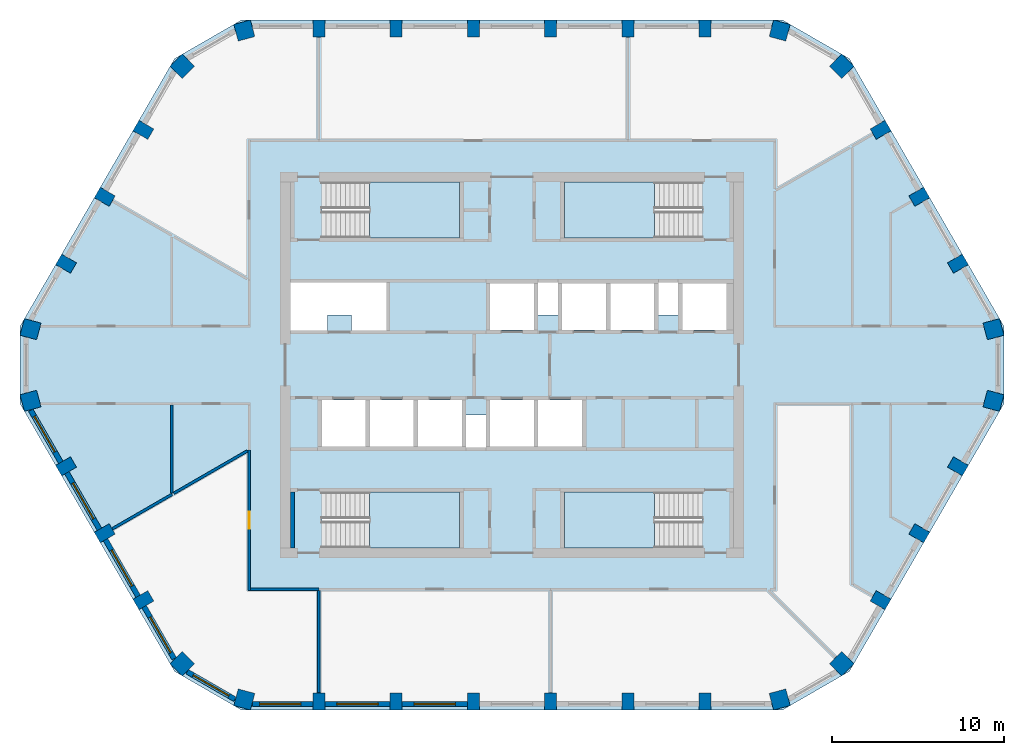
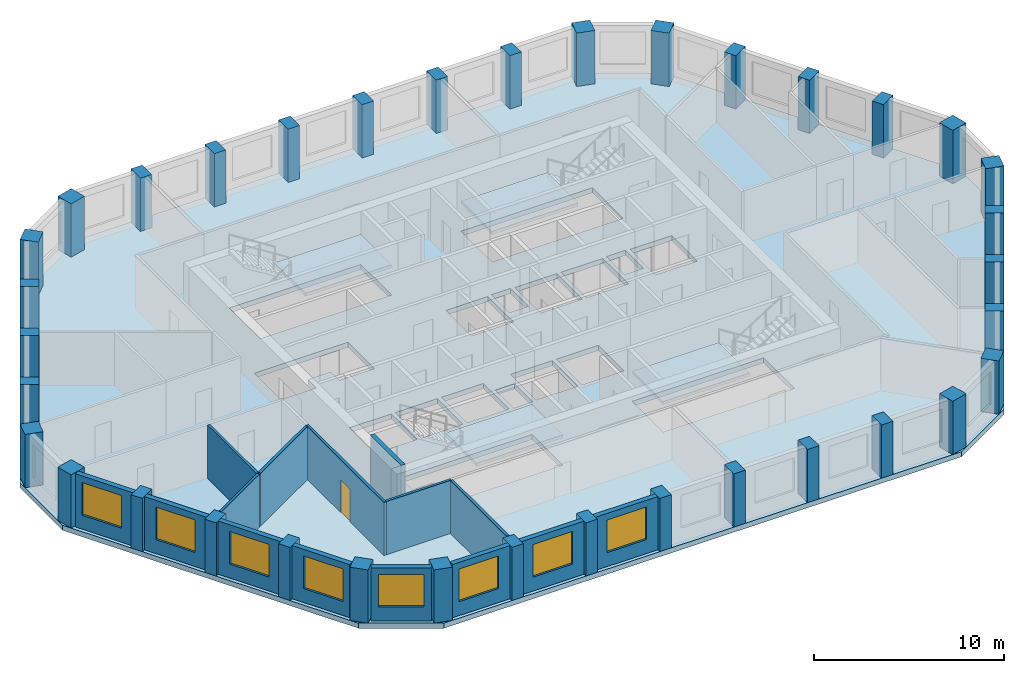
# One storey, part 1 of 11: 36 columns, 15 walls, 8 windows, 5 slabs, 1 door, 9 openings, 4 elements without a shape of their own.
"""IFC4 building model written with IfcOpenShell, lengths in metres."""

from ifc_helpers import new_model, si_unit, direction, frame, frame_2d, origin, origin_2d, place, context, subcontext, project, spatial, polyline, rectangle, outline, extrude, material, layer, layer_set, material_profile, profile_set, type_object, element, fill, aggregate, save


model = new_model("IFC4")

# Units and contexts
model_context = context("Model", 3, precision=1e-05, world=origin(), true_north=direction((0.0, 1.0)))
body_context = subcontext(model_context, "Body", "Model", "MODEL_VIEW")
ifc_project = project(units=[si_unit("LENGTHUNIT", "METRE"), si_unit("AREAUNIT", "SQUARE_METRE"), si_unit("VOLUMEUNIT", "CUBIC_METRE"), si_unit("PLANEANGLEUNIT", "RADIAN"), si_unit("MASSUNIT", "GRAM", prefix="KILO")], contexts=[model_context])

# Site, building, storey
site_placement = place(None, origin())
site = spatial("IfcSite", under=ifc_project, at=site_placement, CompositionType="ELEMENT")
building_placement = place(site_placement, origin())
building = spatial("IfcBuilding", under=site, at=building_placement, Name="Dhurran Vertical Campus", CompositionType="ELEMENT")
storey_placement = place(building_placement, frame((0.0, 0.0, 278.10009765625)))
storey = spatial("IfcBuildingStorey", under=building, at=storey_placement, Name="L69", CompositionType="ELEMENT", Elevation=278.10009765625)

# Columns
ifc_material_1 = material(Name="Concrete C50/60", Category="concrete")
ifc_material_profile_1 = material_profile(ifc_material_1, rectangle(XDim=1.0, YDim=1.0, at=origin_2d()), Name="RC 1000x1000")
ifc_profile_set_1 = profile_set([ifc_material_profile_1], Name="Concrete C50/60")
column_type_1 = type_object("IfcColumnType", Name="FR COL RC 1000x1000 C50/60", PredefinedType="COLUMN", material=ifc_profile_set_1)
for number, where, z_axis, x_axis, name in (
    (1, (-15.5859375, -19.47607421875, 0.0), (0.0, 0.0, 1.0), (0.965925826289, -0.258819045103, 0.0), "Perimeter pier PP5.00"),
    (2, (15.5859375, -19.47607421875, 0.0), (0.0, 0.0, 1.0), (0.965925826289, 0.258819045103, 0.0), "Perimeter pier PP5.07"),
    (3, (19.19873046875, -17.39013671875, 0.0), (0.0, 0.0, 1.0), (0.707106781187, 0.707106781187, 0.0), "Perimeter pier PP5.08"),
    (4, (28.03466796875, -2.0859375, 0.0), (0.0, 0.0, 1.0), (0.258819045103, 0.965925826289, 0.0), "Perimeter pier PP5.12"),
    (5, (28.03466796875, 2.0859375, 0.0), (0.0, 0.0, 1.0), (-0.258819045103, 0.965925826289, 0.0), "Perimeter pier PP5.13"),
    (6, (19.19873046875, 17.39013671875, 0.0), (0.0, 0.0, 1.0), (-0.707106781187, 0.707106781187, 0.0), "Perimeter pier PP5.17"),
    (7, (15.5859375, 19.47607421875, 0.0), (0.0, 0.0, 1.0), (-0.965925826289, 0.258819045103, 0.0), "Perimeter pier PP5.18"),
    (8, (-15.5859375, 19.47607421875, 0.0), (0.0, 0.0, 1.0), (-0.965925826289, -0.258819045103, 0.0), "Perimeter pier PP5.25"),
    (9, (-19.19873046875, 17.39013671875, 0.0), (0.0, 0.0, 1.0), (-0.707106781187, -0.707106781187, 0.0), "Perimeter pier PP5.26"),
    (10, (-28.03466796875, 2.0859375, 0.0), (0.0, 0.0, 1.0), (-0.258819045103, -0.965925826289, 0.0), "Perimeter pier PP5.30"),
    (11, (-28.03466796875, -2.0859375, 0.0), (0.0, 0.0, 1.0), (0.258819045103, -0.965925826289, 0.0), "Perimeter pier PP5.31"),
    (12, (-19.19873046875, -17.39013671875, 0.0), (0.0, 0.0, 1.0), (0.707106781187, -0.707106781187, 0.0), "Perimeter pier PP5.35"),
):
    element("IfcColumn", number, at=place(storey_placement, frame(where, z_axis=z_axis, x_axis=x_axis)), inside=storey, type_object=column_type_1, Name=name, PredefinedType="COLUMN", context=body_context, shape_type="SweptSolid", body=[
        extrude(rectangle(XDim=1.0, YDim=1.0, at=origin_2d()), origin(), (0.0, 0.0, 1.0), 3.4248046875),
    ])
ifc_material_2 = material(Name="Concrete C50/60", Category="concrete")
ifc_material_profile_2 = material_profile(ifc_material_2, rectangle(XDim=0.699951171875, YDim=1.0, at=origin_2d()), Name="RC 700x1000")
ifc_profile_set_2 = profile_set([ifc_material_profile_2], Name="Concrete C50/60")
column_type_2 = type_object("IfcColumnType", Name="FR COL RC 700x1000 C50/60", PredefinedType="COLUMN", material=ifc_profile_set_2)
for number, where, z_axis, x_axis, name in (
    (13, (-11.25, -19.58837890625, 0.0), (0.0, 0.0, 1.0), (1.0, 0.0, 0.0), "Perimeter pier PP5.01"),
    (14, (-6.75, -19.58837890625, 0.0), (0.0, 0.0, 1.0), (1.0, 0.0, 0.0), "Perimeter pier PP5.02"),
    (15, (-2.25, -19.58837890625, 0.0), (0.0, 0.0, 1.0), (1.0, 0.0, 0.0), "Perimeter pier PP5.03"),
    (16, (2.25, -19.58837890625, 0.0), (0.0, 0.0, 1.0), (1.0, 0.0, 0.0), "Perimeter pier PP5.04"),
    (17, (6.75, -19.58837890625, 0.0), (0.0, 0.0, 1.0), (1.0, 0.0, 0.0), "Perimeter pier PP5.05"),
    (18, (11.25, -19.58837890625, 0.0), (0.0, 0.0, 1.0), (1.0, 0.0, 0.0), "Perimeter pier PP5.06"),
    (19, (21.464111328125, -13.69140625, 0.0), (0.0, 0.0, 1.0), (0.5, 0.866025403784, 0.0), "Perimeter pier PP5.09"),
    (20, (23.714111328125, -9.794189453125, 0.0), (0.0, 0.0, 1.0), (0.5, 0.866025403784, 0.0), "Perimeter pier PP5.10"),
    (21, (25.964111328125, -5.897216796875, 0.0), (0.0, 0.0, 1.0), (0.5, 0.866025403784, 0.0), "Perimeter pier PP5.11"),
    (22, (25.964111328125, 5.897216796875, 0.0), (0.0, 0.0, 1.0), (-0.5, 0.866025403784, 0.0), "Perimeter pier PP5.14"),
    (23, (23.714111328125, 9.794189453125, 0.0), (0.0, 0.0, 1.0), (-0.5, 0.866025403784, 0.0), "Perimeter pier PP5.15"),
    (24, (21.464111328125, 13.69140625, 0.0), (0.0, 0.0, 1.0), (-0.5, 0.866025403784, 0.0), "Perimeter pier PP5.16"),
    (25, (11.25, 19.58837890625, 0.0), (0.0, 0.0, 1.0), (-1.0, 0.0, 0.0), "Perimeter pier PP5.19"),
    (26, (6.75, 19.58837890625, 0.0), (0.0, 0.0, 1.0), (-1.0, 0.0, 0.0), "Perimeter pier PP5.20"),
    (27, (2.25, 19.58837890625, 0.0), (0.0, 0.0, 1.0), (-1.0, 0.0, 0.0), "Perimeter pier PP5.21"),
    (28, (-2.25, 19.58837890625, 0.0), (0.0, 0.0, 1.0), (-1.0, 0.0, 0.0), "Perimeter pier PP5.22"),
    (29, (-6.75, 19.58837890625, 0.0), (0.0, 0.0, 1.0), (-1.0, 0.0, 0.0), "Perimeter pier PP5.23"),
    (30, (-11.25, 19.58837890625, 0.0), (0.0, 0.0, 1.0), (-1.0, 0.0, 0.0), "Perimeter pier PP5.24"),
    (31, (-21.464111328125, 13.69140625, 0.0), (0.0, 0.0, 1.0), (-0.5, -0.866025403784, 0.0), "Perimeter pier PP5.27"),
    (32, (-23.714111328125, 9.794189453125, 0.0), (0.0, 0.0, 1.0), (-0.5, -0.866025403784, 0.0), "Perimeter pier PP5.28"),
    (33, (-25.964111328125, 5.897216796875, 0.0), (0.0, 0.0, 1.0), (-0.5, -0.866025403784, 0.0), "Perimeter pier PP5.29"),
    (34, (-25.964111328125, -5.897216796875, 0.0), (0.0, 0.0, 1.0), (0.5, -0.866025403784, 0.0), "Perimeter pier PP5.32"),
    (35, (-23.714111328125, -9.794189453125, 0.0), (0.0, 0.0, 1.0), (0.5, -0.866025403784, 0.0), "Perimeter pier PP5.33"),
    (36, (-21.464111328125, -13.69140625, 0.0), (0.0, 0.0, 1.0), (0.5, -0.866025403784, 0.0), "Perimeter pier PP5.34"),
):
    element("IfcColumn", number, at=place(storey_placement, frame(where, z_axis=z_axis, x_axis=x_axis)), inside=storey, type_object=column_type_2, Name=name, PredefinedType="COLUMN", context=body_context, shape_type="SweptSolid", body=[
        extrude(rectangle(XDim=0.699951171875, YDim=1.0, at=origin_2d()), origin(), (0.0, 0.0, 1.0), 3.4248046875),
    ])

# Slab
ifc_material_3 = material(Name="Concrete C40/50", Category="concrete")
ifc_layer_1 = layer(ifc_material_3, 0.324951171875)
ifc_layer_set_1 = layer_set([ifc_layer_1], Name="Concrete C40/50")
slab_type_1 = type_object("IfcSlabType", Name="FR POST-TENSIONED FLAT SLAB 325", PredefinedType="FLOOR", material=ifc_layer_set_1)
slab_1_placement = place(storey_placement, frame((0.0, 0.0, -0.3251953125)))
element("IfcSlab", 37, at=slab_1_placement, inside=storey, type_object=slab_type_1, Name="Floor slab L69", PredefinedType="FLOOR", context=body_context, shape_type="SweptSolid", body=[
    extrude(outline(polyline([(-15.75, -20.08837890625), (15.75, -20.08837890625), (19.647216796875, -17.83837890625), (28.647216796875, -2.25), (28.647216796875, 2.25), (19.647216796875, 17.83837890625), (15.75, 20.08837890625), (-15.75, 20.08837890625), (-19.647216796875, 17.83837890625), (-28.647216796875, 2.25), (-28.647216796875, -2.25), (-19.647216796875, -17.83837890625), (-15.75, -20.08837890625)]), holes=[polyline([(-1.27490234375, 2.050048828125), (1.27490234375, 2.050048828125), (1.27490234375, 4.75), (-1.27490234375, 4.75), (-1.27490234375, 2.050048828125)]), polyline([(9.925048828125, 2.050048828125), (12.47509765625, 2.050048828125), (12.47509765625, 4.75), (9.925048828125, 4.75), (9.925048828125, 2.050048828125)]), polyline([(-1.27490234375, -4.75), (1.27490234375, -4.75), (1.27490234375, -2.050048828125), (-1.27490234375, -2.050048828125), (-1.27490234375, -4.75)]), polyline([(1.52490234375, -4.75), (4.074951171875, -4.75), (4.074951171875, -2.050048828125), (1.52490234375, -2.050048828125), (1.52490234375, -4.75)]), polyline([(2.925048828125, 2.050048828125), (5.47509765625, 2.050048828125), (5.47509765625, 4.75), (2.925048828125, 4.75), (2.925048828125, 2.050048828125)]), polyline([(5.72509765625, 2.050048828125), (8.27490234375, 2.050048828125), (8.27490234375, 4.75), (5.72509765625, 4.75), (5.72509765625, 2.050048828125)]), polyline([(-11.074951171875, -4.75), (-8.52490234375, -4.75), (-8.52490234375, -2.050048828125), (-11.074951171875, -2.050048828125), (-11.074951171875, -4.75)]), polyline([(-8.27490234375, -4.75), (-5.72509765625, -4.75), (-5.72509765625, -2.050048828125), (-8.27490234375, -2.050048828125), (-8.27490234375, -4.75)]), polyline([(-5.47509765625, -4.75), (-2.925048828125, -4.75), (-2.925048828125, -2.050048828125), (-5.47509765625, -2.050048828125), (-5.47509765625, -4.75)]), polyline([(-11.050048828125, 7.39990234375), (-3.050048828125, 7.39990234375), (-3.050048828125, 10.64990234375), (-11.050048828125, 10.64990234375), (-11.050048828125, 7.39990234375)]), polyline([(3.050048828125, 7.39990234375), (11.050048828125, 7.39990234375), (11.050048828125, 10.64990234375), (3.050048828125, 10.64990234375), (3.050048828125, 7.39990234375)]), polyline([(-11.050048828125, -10.64990234375), (-3.050048828125, -10.64990234375), (-3.050048828125, -7.39990234375), (-11.050048828125, -7.39990234375), (-11.050048828125, -10.64990234375)]), polyline([(3.050048828125, -10.64990234375), (11.050048828125, -10.64990234375), (11.050048828125, -7.39990234375), (3.050048828125, -7.39990234375), (3.050048828125, -10.64990234375)]), polyline([(-7.21240234375, 4.800048828125), (-7.21240234375, 2.0), (-9.356201171875, 2.0), (-9.356201171875, 2.89990234375), (-10.756103515625, 2.89990234375), (-10.756103515625, 2.0), (-12.89990234375, 2.0), (-12.89990234375, 4.800048828125), (-7.21240234375, 4.800048828125)]), polyline([(2.675048828125, 2.89990234375), (1.52490234375, 2.89990234375), (1.52490234375, 4.800048828125), (2.675048828125, 4.800048828125), (2.675048828125, 2.89990234375)]), polyline([(-2.675048828125, -2.89990234375), (-1.52490234375, -2.89990234375), (-1.52490234375, -4.800048828125), (-2.675048828125, -4.800048828125), (-2.675048828125, -2.89990234375)]), polyline([(9.675048828125, 2.89990234375), (8.52490234375, 2.89990234375), (8.52490234375, 4.800048828125), (9.675048828125, 4.800048828125), (9.675048828125, 2.89990234375)])]), origin(), (0.0, 0.0, 1.0), 0.3251953125),
])

# Stair, slab
ifc_material_4 = material(Name="Concrete C40/50", Category="concrete")
stair_type = type_object("IfcStairType", Name="co-ST-CORE", PredefinedType="HALF_TURN_STAIR", material=ifc_material_4)
stair_1_placement = place(storey_placement, origin())
stair_1 = element("IfcStair", 38, at=stair_1_placement, inside=storey, type_object=stair_type, Name="L69 Protected exit stair ST1", PredefinedType="HALF_TURN_STAIR")
ifc_material_5 = material(Name="Concrete C40/50", Category="concrete")
ifc_layer_2 = layer(ifc_material_5, 0.199951171875)
ifc_layer_set_2 = layer_set([ifc_layer_2], Name="Concrete C40/50")
slab_type_2 = type_object("IfcSlabType", Name="co-SL-LANDING", PredefinedType="LANDING", material=ifc_layer_set_2)
slab_2_placement = place(storey_placement, frame((0.0, 0.0, 1.75)))
slab_2 = element("IfcSlab", 39, at=slab_2_placement, type_object=slab_type_2, Name="ST1 landing 1", PredefinedType="LANDING", context=body_context, shape_type="SweptSolid", body=[
    extrude(outline(polyline([(-8.300048828125, 7.39990234375), (-3.050048828125, 7.39990234375), (-3.050048828125, 10.64990234375), (-8.300048828125, 10.64990234375), (-8.300048828125, 7.39990234375)])), origin(), (0.0, 0.0, 1.0), 0.199951171875),
])
aggregate(stair_1, [slab_2])

stair_2_placement = place(storey_placement, origin())
stair_2 = element("IfcStair", 40, at=stair_2_placement, inside=storey, type_object=stair_type, Name="L69 Protected exit stair ST2", PredefinedType="HALF_TURN_STAIR")
slab_3_placement = place(storey_placement, frame((0.0, 0.0, 1.75)))
slab_3 = element("IfcSlab", 41, at=slab_3_placement, type_object=slab_type_2, Name="ST2 landing 1", PredefinedType="LANDING", context=body_context, shape_type="SweptSolid", body=[
    extrude(outline(polyline([(8.300048828125, 10.64990234375), (3.050048828125, 10.64990234375), (3.050048828125, 7.39990234375), (8.300048828125, 7.39990234375), (8.300048828125, 10.64990234375)])), origin(), (0.0, 0.0, 1.0), 0.199951171875),
])
aggregate(stair_2, [slab_3])

stair_3_placement = place(storey_placement, origin())
stair_3 = element("IfcStair", 42, at=stair_3_placement, inside=storey, type_object=stair_type, Name="L69 Protected exit stair ST3", PredefinedType="HALF_TURN_STAIR")
slab_4_placement = place(storey_placement, frame((0.0, 0.0, 1.75)))
slab_4 = element("IfcSlab", 43, at=slab_4_placement, type_object=slab_type_2, Name="ST3 landing 1", PredefinedType="LANDING", context=body_context, shape_type="SweptSolid", body=[
    extrude(outline(polyline([(-8.300048828125, -10.64990234375), (-3.050048828125, -10.64990234375), (-3.050048828125, -7.39990234375), (-8.300048828125, -7.39990234375), (-8.300048828125, -10.64990234375)])), origin(), (0.0, 0.0, 1.0), 0.199951171875),
])
aggregate(stair_3, [slab_4])

stair_4_placement = place(storey_placement, origin())
stair_4 = element("IfcStair", 44, at=stair_4_placement, inside=storey, type_object=stair_type, Name="L69 Protected exit stair ST4", PredefinedType="HALF_TURN_STAIR")
slab_5_placement = place(storey_placement, frame((0.0, 0.0, 1.75)))
slab_5 = element("IfcSlab", 45, at=slab_5_placement, type_object=slab_type_2, Name="ST4 landing 1", PredefinedType="LANDING", context=body_context, shape_type="SweptSolid", body=[
    extrude(outline(polyline([(8.300048828125, -7.39990234375), (3.050048828125, -7.39990234375), (3.050048828125, -10.64990234375), (8.300048828125, -10.64990234375), (8.300048828125, -7.39990234375)])), origin(), (0.0, 0.0, 1.0), 0.199951171875),
])
aggregate(stair_4, [slab_5])

# Wall, opening, window
ifc_material_6 = material(Name="Precast concrete C50/60", Category="concrete")
ifc_layer_3 = layer(ifc_material_6, 0.300048828125)
ifc_layer_set_3 = layer_set([ifc_layer_3], Name="Precast concrete C50/60")
wall_type_1 = type_object("IfcWallType", Name="Precast spandrel wall 300", PredefinedType="SOLIDWALL", material=ifc_layer_set_3)
wall_1_placement = place(storey_placement, frame((-15.09814453125, -19.738525390625, 0.0), z_axis=(0.0, 0.0, 1.0), x_axis=(1.0, 0.0, 0.0)))
wall_1 = element("IfcWall", 46, at=wall_1_placement, inside=storey, type_object=wall_type_1, Name="EW1 L69.00", PredefinedType="SOLIDWALL", context=body_context, shape_type="SweptSolid", body=[
    extrude(rectangle(XDim=3.49755859375, YDim=0.300048828125, at=frame_2d((1.748779296875, 0.0))), origin(), (0.0, 0.0, 1.0), 3.4248046875),
])
opening_1_placement = place(wall_1_placement, frame((0.398193359375, 0.0, 0.89990234375)))
opening_1 = element("IfcOpeningElement", 47, at=opening_1_placement, cuts=wall_1, Name="Opening WT1", PredefinedType="OPENING", context=body_context, shape_type="SweptSolid", body=[
    extrude(rectangle(XDim=2.39990234375, YDim=2.10009765625, at=frame_2d((1.199951171875, 1.050048828125))), frame((0.0, 0.159912109375, 0.0), z_axis=(0.0, -1.0, 0.0), x_axis=(1.0, 0.0, 0.0)), (0.0, 0.0, 1.0), 0.320068359375),
])
ifc_material_7 = material(Name="Aluminium frame with solar-control glass", Category="aluminium")
window_type = type_object("IfcWindowType", Name="Punched window 2400 x 2100", PartitioningType="SINGLE_PANEL", PredefinedType="WINDOW", material=ifc_material_7)
window_1_placement = place(opening_1_placement, origin())
window_1 = element("IfcWindow", 48, at=window_1_placement, inside=storey, type_object=window_type, Name="WT1 L69.00", OverallHeight=2.10009765625, OverallWidth=2.39990234375, PartitioningType="SINGLE_PANEL", PredefinedType="WINDOW", context=body_context, shape_type="SweptSolid", body=[
    extrude(rectangle(XDim=2.39990234375, YDim=2.10009765625, at=frame_2d((1.199951171875, 1.050048828125))), frame((0.0, 0.030029296875, 0.0), z_axis=(0.0, -1.0, 0.0), x_axis=(1.0, 0.0, 0.0)), (0.0, 0.0, 1.0), 0.06005859375),
])
fill(opening_1, window_1)

wall_2_placement = place(storey_placement, frame((-10.8994140625, -19.738525390625, 0.0), z_axis=(0.0, 0.0, 1.0), x_axis=(1.0, 0.0, 0.0)))
wall_2 = element("IfcWall", 49, at=wall_2_placement, inside=storey, type_object=wall_type_1, Name="EW1 L69.01", PredefinedType="SOLIDWALL", context=body_context, shape_type="SweptSolid", body=[
    extrude(rectangle(XDim=3.798828125, YDim=0.300048828125, at=frame_2d((1.8994140625, 0.0))), origin(), (0.0, 0.0, 1.0), 3.4248046875),
])
opening_2_placement = place(wall_2_placement, frame((0.699462890625, 0.0, 0.89990234375)))
opening_2 = element("IfcOpeningElement", 50, at=opening_2_placement, cuts=wall_2, Name="Opening WT1", PredefinedType="OPENING", context=body_context, shape_type="SweptSolid", body=[
    extrude(rectangle(XDim=2.39990234375, YDim=2.10009765625, at=frame_2d((1.199951171875, 1.050048828125))), frame((0.0, 0.159912109375, 0.0), z_axis=(0.0, -1.0, 0.0), x_axis=(1.0, 0.0, 0.0)), (0.0, 0.0, 1.0), 0.320068359375),
])
window_2_placement = place(opening_2_placement, origin())
window_2 = element("IfcWindow", 51, at=window_2_placement, inside=storey, type_object=window_type, Name="WT1 L69.01", OverallHeight=2.10009765625, OverallWidth=2.39990234375, PartitioningType="SINGLE_PANEL", PredefinedType="WINDOW", context=body_context, shape_type="SweptSolid", body=[
    extrude(rectangle(XDim=2.39990234375, YDim=2.10009765625, at=frame_2d((1.199951171875, 1.050048828125))), frame((0.0, 0.030029296875, 0.0), z_axis=(0.0, -1.0, 0.0), x_axis=(1.0, 0.0, 0.0)), (0.0, 0.0, 1.0), 0.06005859375),
])
fill(opening_2, window_2)

wall_3_placement = place(storey_placement, frame((-6.3994140625, -19.738525390625, 0.0), z_axis=(0.0, 0.0, 1.0), x_axis=(1.0, 0.0, 0.0)))
wall_3 = element("IfcWall", 52, at=wall_3_placement, inside=storey, type_object=wall_type_1, Name="EW1 L69.02", PredefinedType="SOLIDWALL", context=body_context, shape_type="SweptSolid", body=[
    extrude(rectangle(XDim=3.798828125, YDim=0.300048828125, at=frame_2d((1.8994140625, 0.0))), origin(), (0.0, 0.0, 1.0), 3.4248046875),
])
opening_3_placement = place(wall_3_placement, frame((0.699462890625, 0.0, 0.89990234375)))
opening_3 = element("IfcOpeningElement", 53, at=opening_3_placement, cuts=wall_3, Name="Opening WT1", PredefinedType="OPENING", context=body_context, shape_type="SweptSolid", body=[
    extrude(rectangle(XDim=2.39990234375, YDim=2.10009765625, at=frame_2d((1.199951171875, 1.050048828125))), frame((0.0, 0.159912109375, 0.0), z_axis=(0.0, -1.0, 0.0), x_axis=(1.0, 0.0, 0.0)), (0.0, 0.0, 1.0), 0.320068359375),
])
window_3_placement = place(opening_3_placement, origin())
window_3 = element("IfcWindow", 54, at=window_3_placement, inside=storey, type_object=window_type, Name="WT1 L69.02", OverallHeight=2.10009765625, OverallWidth=2.39990234375, PartitioningType="SINGLE_PANEL", PredefinedType="WINDOW", context=body_context, shape_type="SweptSolid", body=[
    extrude(rectangle(XDim=2.39990234375, YDim=2.10009765625, at=frame_2d((1.199951171875, 1.050048828125))), frame((0.0, 0.030029296875, 0.0), z_axis=(0.0, -1.0, 0.0), x_axis=(1.0, 0.0, 0.0)), (0.0, 0.0, 1.0), 0.06005859375),
])
fill(opening_3, window_3)

wall_4_placement = place(storey_placement, frame((-28.01806640625, -2.6396484375, 0.0), z_axis=(0.0, 0.0, 1.0), x_axis=(0.499990325971, -0.866030989016, 0.0)))
wall_4 = element("IfcWall", 55, at=wall_4_placement, inside=storey, type_object=wall_type_1, Name="EW1 L69.31", PredefinedType="SOLIDWALL", context=body_context, shape_type="SweptSolid", body=[
    extrude(rectangle(XDim=3.49755859375, YDim=0.300048828125, at=frame_2d((1.748779296875, 0.0))), origin(), (0.0, 0.0, 1.0), 3.4248046875),
])
opening_4_placement = place(wall_4_placement, frame((0.398193359375, 0.0, 0.89990234375)))
opening_4 = element("IfcOpeningElement", 56, at=opening_4_placement, cuts=wall_4, Name="Opening WT1", PredefinedType="OPENING", context=body_context, shape_type="SweptSolid", body=[
    extrude(rectangle(XDim=2.39990234375, YDim=2.10009765625, at=frame_2d((1.199951171875, 1.050048828125))), frame((0.0, 0.159912109375, 0.0), z_axis=(0.0, -1.0, 0.0), x_axis=(1.0, 0.0, 0.0)), (0.0, 0.0, 1.0), 0.320068359375),
])
window_4_placement = place(opening_4_placement, origin())
window_4 = element("IfcWindow", 57, at=window_4_placement, inside=storey, type_object=window_type, Name="WT1 L69.31", OverallHeight=2.10009765625, OverallWidth=2.39990234375, PartitioningType="SINGLE_PANEL", PredefinedType="WINDOW", context=body_context, shape_type="SweptSolid", body=[
    extrude(rectangle(XDim=2.39990234375, YDim=2.10009765625, at=frame_2d((1.199951171875, 1.050048828125))), frame((0.0, 0.030029296875, 0.0), z_axis=(0.0, -1.0, 0.0), x_axis=(1.0, 0.0, 0.0)), (0.0, 0.0, 1.0), 0.06005859375),
])
fill(opening_4, window_4)

wall_5_placement = place(storey_placement, frame((-25.918701171875, -6.275634765625, 0.0), z_axis=(0.0, 0.0, 1.0), x_axis=(0.499982058975, -0.866035761792, 0.0)))
wall_5 = element("IfcWall", 58, at=wall_5_placement, inside=storey, type_object=wall_type_1, Name="EW1 L69.32", PredefinedType="SOLIDWALL", context=body_context, shape_type="SweptSolid", body=[
    extrude(rectangle(XDim=3.799072265625, YDim=0.300048828125, at=frame_2d((1.8994140625, 0.0))), origin(), (0.0, 0.0, 1.0), 3.4248046875),
])
opening_5_placement = place(wall_5_placement, frame((0.699462890625, 0.0, 0.89990234375)))
opening_5 = element("IfcOpeningElement", 59, at=opening_5_placement, cuts=wall_5, Name="Opening WT1", PredefinedType="OPENING", context=body_context, shape_type="SweptSolid", body=[
    extrude(rectangle(XDim=2.39990234375, YDim=2.10009765625, at=frame_2d((1.199951171875, 1.050048828125))), frame((0.0, 0.159912109375, 0.0), z_axis=(0.0, -1.0, 0.0), x_axis=(1.0, 0.0, 0.0)), (0.0, 0.0, 1.0), 0.320068359375),
])
window_5_placement = place(opening_5_placement, origin())
window_5 = element("IfcWindow", 60, at=window_5_placement, inside=storey, type_object=window_type, Name="WT1 L69.32", OverallHeight=2.10009765625, OverallWidth=2.39990234375, PartitioningType="SINGLE_PANEL", PredefinedType="WINDOW", context=body_context, shape_type="SweptSolid", body=[
    extrude(rectangle(XDim=2.39990234375, YDim=2.10009765625, at=frame_2d((1.199951171875, 1.050048828125))), frame((0.0, 0.030029296875, 0.0), z_axis=(0.0, -1.0, 0.0), x_axis=(1.0, 0.0, 0.0)), (0.0, 0.0, 1.0), 0.06005859375),
])
fill(opening_5, window_5)

wall_6_placement = place(storey_placement, frame((-23.668701171875, -10.1728515625, 0.0), z_axis=(0.0, 0.0, 1.0), x_axis=(0.499982058975, -0.866035761792, 0.0)))
wall_6 = element("IfcWall", 61, at=wall_6_placement, inside=storey, type_object=wall_type_1, Name="EW1 L69.33", PredefinedType="SOLIDWALL", context=body_context, shape_type="SweptSolid", body=[
    extrude(rectangle(XDim=3.799072265625, YDim=0.300048828125, at=frame_2d((1.8994140625, 0.0))), origin(), (0.0, 0.0, 1.0), 3.4248046875),
])
opening_6_placement = place(wall_6_placement, frame((0.699462890625, 0.0, 0.89990234375)))
opening_6 = element("IfcOpeningElement", 62, at=opening_6_placement, cuts=wall_6, Name="Opening WT1", PredefinedType="OPENING", context=body_context, shape_type="SweptSolid", body=[
    extrude(rectangle(XDim=2.39990234375, YDim=2.10009765625, at=frame_2d((1.199951171875, 1.050048828125))), frame((0.0, 0.159912109375, 0.0), z_axis=(0.0, -1.0, 0.0), x_axis=(1.0, 0.0, 0.0)), (0.0, 0.0, 1.0), 0.320068359375),
])
window_6_placement = place(opening_6_placement, origin())
window_6 = element("IfcWindow", 63, at=window_6_placement, inside=storey, type_object=window_type, Name="WT1 L69.33", OverallHeight=2.10009765625, OverallWidth=2.39990234375, PartitioningType="SINGLE_PANEL", PredefinedType="WINDOW", context=body_context, shape_type="SweptSolid", body=[
    extrude(rectangle(XDim=2.39990234375, YDim=2.10009765625, at=frame_2d((1.199951171875, 1.050048828125))), frame((0.0, 0.030029296875, 0.0), z_axis=(0.0, -1.0, 0.0), x_axis=(1.0, 0.0, 0.0)), (0.0, 0.0, 1.0), 0.06005859375),
])
fill(opening_6, window_6)

wall_7_placement = place(storey_placement, frame((-21.418701171875, -14.06982421875, 0.0), z_axis=(0.0, 0.0, 1.0), x_axis=(0.499960102815, -0.866048437209, 0.0)))
wall_7 = element("IfcWall", 64, at=wall_7_placement, inside=storey, type_object=wall_type_1, Name="EW1 L69.34", PredefinedType="SOLIDWALL", context=body_context, shape_type="SweptSolid", body=[
    extrude(rectangle(XDim=3.497802734375, YDim=0.300048828125, at=frame_2d((1.7490234375, 0.0))), origin(), (0.0, 0.0, 1.0), 3.4248046875),
])
opening_7_placement = place(wall_7_placement, frame((0.699462890625, 0.0, 0.89990234375)))
opening_7 = element("IfcOpeningElement", 65, at=opening_7_placement, cuts=wall_7, Name="Opening WT1", PredefinedType="OPENING", context=body_context, shape_type="SweptSolid", body=[
    extrude(rectangle(XDim=2.39990234375, YDim=2.10009765625, at=frame_2d((1.199951171875, 1.050048828125))), frame((0.0, 0.159912109375, 0.0), z_axis=(0.0, -1.0, 0.0), x_axis=(1.0, 0.0, 0.0)), (0.0, 0.0, 1.0), 0.320068359375),
])
window_7_placement = place(opening_7_placement, origin())
window_7 = element("IfcWindow", 66, at=window_7_placement, inside=storey, type_object=window_type, Name="WT1 L69.34", OverallHeight=2.10009765625, OverallWidth=2.39990234375, PartitioningType="SINGLE_PANEL", PredefinedType="WINDOW", context=body_context, shape_type="SweptSolid", body=[
    extrude(rectangle(XDim=2.39990234375, YDim=2.10009765625, at=frame_2d((1.199951171875, 1.050048828125))), frame((0.0, 0.030029296875, 0.0), z_axis=(0.0, -1.0, 0.0), x_axis=(1.0, 0.0, 0.0)), (0.0, 0.0, 1.0), 0.06005859375),
])
fill(opening_7, window_7)

wall_8_placement = place(storey_placement, frame((-18.90771484375, -17.861328125, 0.0), z_axis=(0.0, 0.0, 1.0), x_axis=(0.866025316205, -0.500000151692, 0.0)))
wall_8 = element("IfcWall", 67, at=wall_8_placement, inside=storey, type_object=wall_type_1, Name="EW1 L69.35", PredefinedType="SOLIDWALL", context=body_context, shape_type="SweptSolid", body=[
    extrude(rectangle(XDim=3.1962890625, YDim=0.300048828125, at=frame_2d((1.59814453125, 0.0))), origin(), (0.0, 0.0, 1.0), 3.4248046875),
])
opening_8_placement = place(wall_8_placement, frame((0.398193359375, 0.0, 0.89990234375)))
opening_8 = element("IfcOpeningElement", 68, at=opening_8_placement, cuts=wall_8, Name="Opening WT1", PredefinedType="OPENING", context=body_context, shape_type="SweptSolid", body=[
    extrude(rectangle(XDim=2.39990234375, YDim=2.10009765625, at=frame_2d((1.199951171875, 1.050048828125))), frame((0.0, 0.159912109375, 0.0), z_axis=(0.0, -1.0, 0.0), x_axis=(1.0, 0.0, 0.0)), (0.0, 0.0, 1.0), 0.320068359375),
])
window_8_placement = place(opening_8_placement, origin())
window_8 = element("IfcWindow", 69, at=window_8_placement, inside=storey, type_object=window_type, Name="WT1 L69.35", OverallHeight=2.10009765625, OverallWidth=2.39990234375, PartitioningType="SINGLE_PANEL", PredefinedType="WINDOW", context=body_context, shape_type="SweptSolid", body=[
    extrude(rectangle(XDim=2.39990234375, YDim=2.10009765625, at=frame_2d((1.199951171875, 1.050048828125))), frame((0.0, 0.030029296875, 0.0), z_axis=(0.0, -1.0, 0.0), x_axis=(1.0, 0.0, 0.0)), (0.0, 0.0, 1.0), 0.06005859375),
])
fill(opening_8, window_8)

# Wall
ifc_material_8 = material(Name="Concrete C40/50", Category="concrete")
ifc_layer_4 = layer(ifc_material_8, 0.25)
ifc_layer_set_4 = layer_set([ifc_layer_4], Name="Concrete C40/50")
wall_type_2 = type_object("IfcWallType", Name="co-STAIR-WALL-250", PredefinedType="SHEAR", material=ifc_layer_set_4)
wall_9_placement = place(storey_placement, frame((-12.77490234375, -10.64990234375, 0.0), z_axis=(0.0, 0.0, 1.0), x_axis=(0.0, 1.0, 0.0)))
element("IfcWall", 70, at=wall_9_placement, inside=storey, type_object=wall_type_2, Name="Stair ST3 enclosure wall L69", PredefinedType="SHEAR", context=body_context, shape_type="SweptSolid", body=[
    extrude(rectangle(XDim=3.25, YDim=0.25, at=frame_2d((1.625, 0.0))), origin(), (0.0, 0.0, 1.0), 3.4248046875),
])

# Wall, opening, door
ifc_material_9 = material(Name="Gypsum board corridor wall on steel studs", Category="steel")
ifc_layer_5 = layer(ifc_material_9, 0.14990234375)
ifc_layer_set_5 = layer_set([ifc_layer_5], Name="Gypsum board corridor wall on steel studs")
wall_type_3 = type_object("IfcWallType", Name="fl-CW-150 corridor wall", PredefinedType="PARTITIONING", material=ifc_layer_set_5)
wall_10_placement = place(storey_placement, frame((-15.300048828125, -4.93603515625, 0.0), z_axis=(0.0, 0.0, 1.0), x_axis=(0.0, -1.0, 0.0)))
wall_10 = element("IfcWall", 71, at=wall_10_placement, inside=storey, type_object=wall_type_3, Name="Partition 69-11", PredefinedType="PARTITIONING", context=body_context, shape_type="SweptSolid", body=[
    extrude(rectangle(XDim=8.18896484375, YDim=0.14990234375, at=frame_2d((4.094482421875, 0.0))), origin(), (0.0, 0.0, 1.0), 3.4248046875),
])
opening_9_placement = place(wall_10_placement, frame((3.594482421875, 0.0, 0.0)))
opening_9 = element("IfcOpeningElement", 72, at=opening_9_placement, cuts=wall_10, Name="Opening T20.05", PredefinedType="OPENING", context=body_context, shape_type="SweptSolid", body=[
    extrude(rectangle(XDim=1.0, YDim=2.10009765625, at=frame_2d((0.5, 1.050048828125))), frame((0.0, 0.0849609375, 0.0), z_axis=(0.0, -1.0, 0.0), x_axis=(1.0, 0.0, 0.0)), (0.0, 0.0, 1.0), 0.169921875),
])
ifc_material_10 = material(Name="Solid-core timber door set, fire-rated", Category="wood")
door_type = type_object("IfcDoorType", Name="fl-D-1000x2100", OperationType="SINGLE_SWING_LEFT", PredefinedType="DOOR", material=ifc_material_10)
door_placement = place(opening_9_placement, origin())
door = element("IfcDoor", 73, at=door_placement, inside=storey, type_object=door_type, Name="Door 69.05", OperationType="SINGLE_SWING_RIGHT", OverallHeight=2.10009765625, OverallWidth=1.0, PredefinedType="DOOR", context=body_context, shape_type="SweptSolid", body=[
    extrude(rectangle(XDim=1.0, YDim=2.10009765625, at=frame_2d((0.5, 1.050048828125))), frame((0.0, 0.02490234375, 0.0), z_axis=(0.0, -1.0, 0.0), x_axis=(1.0, 0.0, 0.0)), (0.0, 0.0, 1.0), 0.050048828125),
])
fill(opening_9, door)

# Walls
wall_11_placement = place(storey_placement, frame((-15.22509765625, -13.050048828125, 0.0), z_axis=(0.0, 0.0, 1.0), x_axis=(1.0, 0.0, 0.0)))
element("IfcWall", 74, at=wall_11_placement, inside=storey, type_object=wall_type_3, Name="Partition 69-12", PredefinedType="PARTITIONING", context=body_context, shape_type="SweptSolid", body=[
    extrude(rectangle(XDim=3.97509765625, YDim=0.14990234375, at=frame_2d((1.987548828125, 0.0))), origin(), (0.0, 0.0, 1.0), 3.4248046875),
])
ifc_material_11 = material(Name="Gypsum board partition on steel studs", Category="steel")
ifc_layer_6 = layer(ifc_material_11, 0.14990234375)
ifc_layer_set_6 = layer_set([ifc_layer_6], Name="Gypsum board partition on steel studs")
wall_type_4 = type_object("IfcWallType", Name="fl-PW-150 fixed partition", PredefinedType="PARTITIONING", material=ifc_layer_set_6)
wall_12_placement = place(storey_placement, frame((-19.800048828125, -7.533935546875, 0.0), z_axis=(0.0, 0.0, 1.0), x_axis=(-0.865984319305, -0.500071153655, 0.0)))
element("IfcWall", 75, at=wall_12_placement, inside=storey, type_object=wall_type_4, Name="Partition 69-03", PredefinedType="PARTITIONING", context=body_context, shape_type="SweptSolid", body=[
    extrude(rectangle(XDim=4.0, YDim=0.14990234375, at=frame_2d((2.0, 0.0))), origin(), (0.0, 0.0, 1.0), 3.4248046875),
])
wall_13_placement = place(storey_placement, frame((-19.800048828125, -2.324951171875, 0.0), z_axis=(0.0, 0.0, 1.0), x_axis=(0.0, -1.0, 0.0)))
element("IfcWall", 76, at=wall_13_placement, inside=storey, type_object=wall_type_4, Name="Partition 69-05", PredefinedType="PARTITIONING", context=body_context, shape_type="SweptSolid", body=[
    extrude(rectangle(XDim=5.134033203125, YDim=0.14990234375, at=frame_2d((2.56689453125, 0.0))), origin(), (0.0, 0.0, 1.0), 3.4248046875),
])
wall_14_placement = place(storey_placement, frame((-15.41259765625, -5.0009765625, 0.0), z_axis=(0.0, 0.0, 1.0), x_axis=(-0.866034039096, -0.499985042903, 0.0)))
element("IfcWall", 77, at=wall_14_placement, inside=storey, type_object=wall_type_4, Name="Partition 69-06", PredefinedType="PARTITIONING", context=body_context, shape_type="SweptSolid", body=[
    extrude(rectangle(XDim=4.936279296875, YDim=0.14990234375, at=frame_2d((2.46826171875, 0.0))), origin(), (0.0, 0.0, 1.0), 3.4248046875),
])
wall_15_placement = place(storey_placement, frame((-11.25, -13.125, 0.0), z_axis=(0.0, 0.0, 1.0), x_axis=(0.0, -1.0, 0.0)))
element("IfcWall", 78, at=wall_15_placement, inside=storey, type_object=wall_type_4, Name="Partition 69-17", PredefinedType="PARTITIONING", context=body_context, shape_type="SweptSolid", body=[
    extrude(rectangle(XDim=5.943603515625, YDim=0.14990234375, at=frame_2d((2.9716796875, 0.0))), origin(), (0.0, 0.0, 1.0), 3.4248046875),
])

save(model, "model.ifc")
